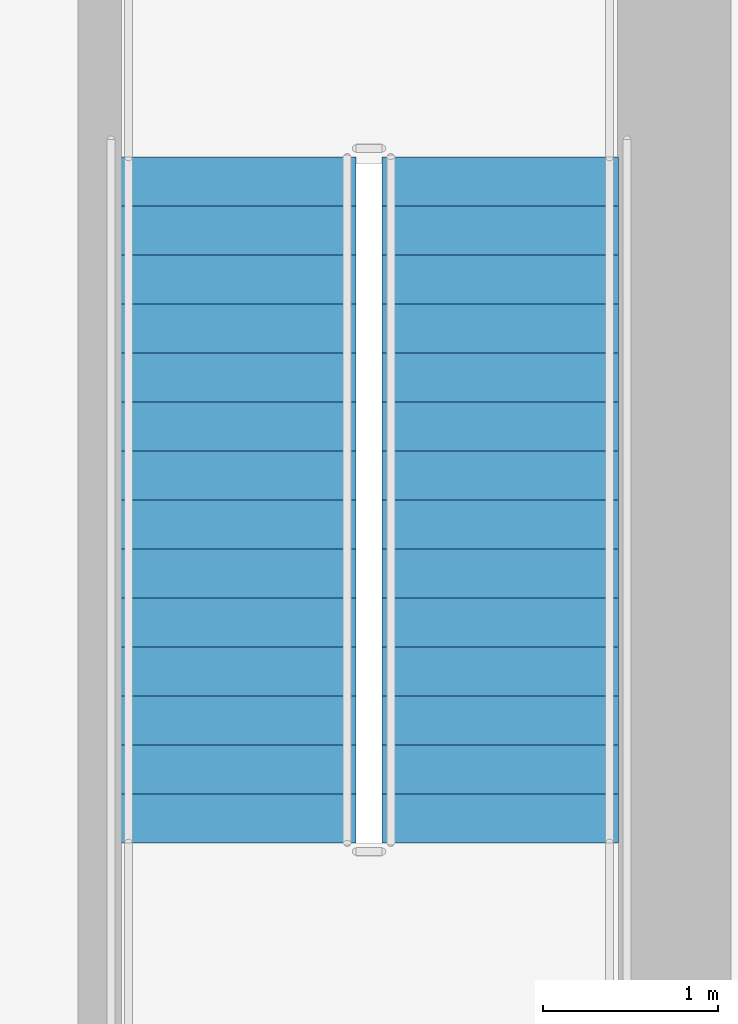
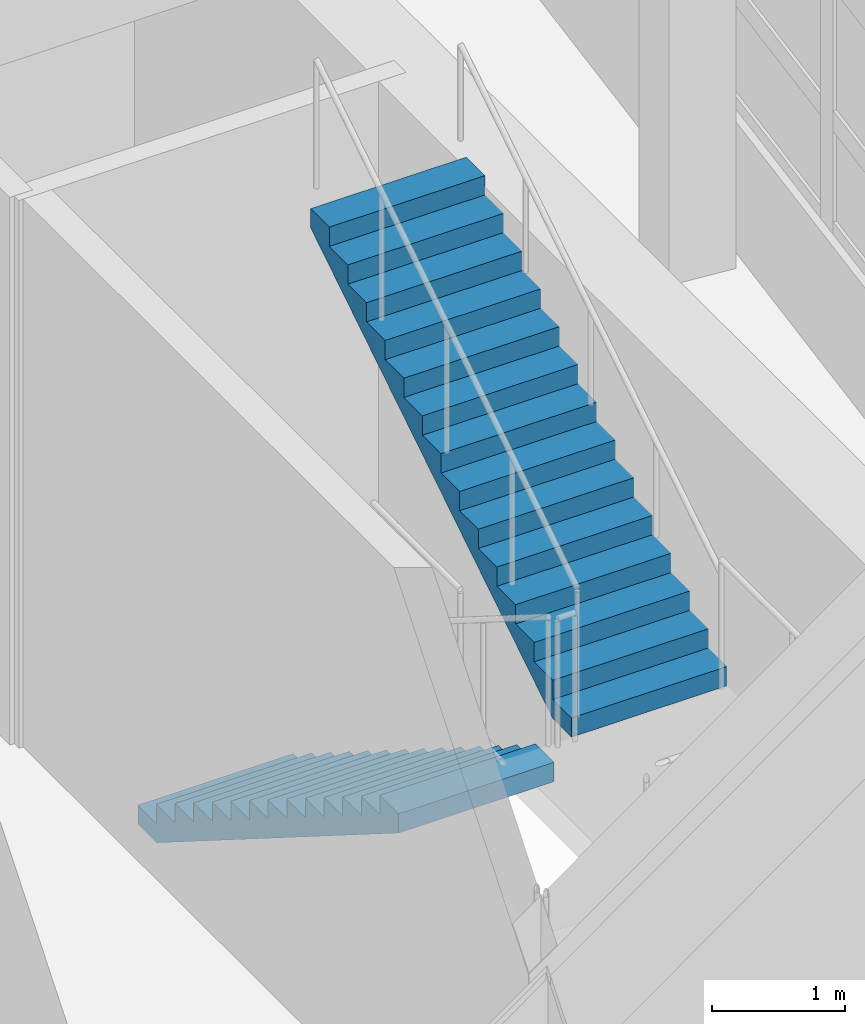
# One storey, part 21 of 23: 2 stair flights, 1 element without a shape of its own.
"""IFC4 building model written with IfcOpenShell, lengths in metres."""

from ifc_helpers import new_model, si_unit, direction, frame, origin, place, context, subcontext, project, spatial, polyline, outline, extrude, material, type_object, element, aggregate, save


model = new_model("IFC4")

# Units and contexts
model_context = context("Model", 3, precision=1e-05, world=origin(), true_north=direction((0.0, 1.0)))
body_context = subcontext(model_context, "Body", "Model", "MODEL_VIEW")
ifc_project = project(units=[si_unit("LENGTHUNIT", "METRE"), si_unit("AREAUNIT", "SQUARE_METRE"), si_unit("VOLUMEUNIT", "CUBIC_METRE"), si_unit("PLANEANGLEUNIT", "RADIAN"), si_unit("MASSUNIT", "GRAM", prefix="KILO")], contexts=[model_context])

# Site, building, storey
site_placement = place(None, origin())
site = spatial("IfcSite", under=ifc_project, at=site_placement, CompositionType="ELEMENT")
building_placement = place(site_placement, origin())
building = spatial("IfcBuilding", under=site, at=building_placement, Name="Voryun Gate Residences", CompositionType="ELEMENT")
storey_placement = place(building_placement, frame((0.0, 0.0, 321.300048828125)))
storey = spatial("IfcBuildingStorey", under=building, at=storey_placement, Name="L79", CompositionType="ELEMENT", Elevation=321.300048828125)

# Stair, stair flights
ifc_material_1 = material(Name="Concrete C40/50", Category="concrete")
stair_type = type_object("IfcStairType", Name="STR_CORE_DOGLEG_1350", PredefinedType="HALF_TURN_STAIR", material=ifc_material_1)
stair_placement = place(storey_placement, origin())
stair = element("IfcStair", 1, at=stair_placement, inside=storey, type_object=stair_type, Name="L79 Special Escape Stair ST-E1", PredefinedType="HALF_TURN_STAIR")
ifc_material_2 = material(Name="Concrete C40/50", Category="concrete")
stair_flight_type = type_object("IfcStairFlightType", Name="FLT_CORE_1350", PredefinedType="STRAIGHT", material=ifc_material_2)
stair_flight_1_placement = place(storey_placement, frame((16.64990234375, -0.800048828125, 0.0), z_axis=(0.0, 0.0, 1.0), x_axis=(0.0, -1.0, 0.0)))
stair_flight_1 = element("IfcStairFlight", 2, at=stair_flight_1_placement, type_object=stair_flight_type, Name="ST-E1 flight 1", NumberOfRisers=15, NumberOfTreads=14, PredefinedType="STRAIGHT", RiserHeight=0.176666667, TreadLength=0.28, context=body_context, shape_type="SweptSolid", body=[
    extrude(outline(polyline([(0.0, 0.0), (0.0, 0.1767578125), (0.280029296875, 0.1767578125), (0.280029296875, 0.353271484375), (0.56005859375, 0.353271484375), (0.56005859375, 0.530029296875), (0.840087890625, 0.530029296875), (0.840087890625, 0.706787109375), (1.1201171875, 0.706787109375), (1.1201171875, 0.88330078125), (1.39990234375, 0.88330078125), (1.39990234375, 1.06005859375), (1.679931640625, 1.06005859375), (1.679931640625, 1.236572265625), (1.9599609375, 1.236572265625), (1.9599609375, 1.413330078125), (2.239990234375, 1.413330078125), (2.239990234375, 1.590087890625), (2.52001953125, 1.590087890625), (2.52001953125, 1.7666015625), (2.800048828125, 1.7666015625), (2.800048828125, 1.943359375), (3.080078125, 1.943359375), (3.080078125, 2.1201171875), (3.360107421875, 2.1201171875), (3.360107421875, 2.296630859375), (3.639892578125, 2.296630859375), (3.639892578125, 2.473388671875), (3.919921875, 2.473388671875), (3.919921875, 2.64990234375), (3.919921875, 2.296142578125), (0.281005859375, 0.0), (0.0, 0.0)])), frame((0.0, 0.675048828125, 0.0), z_axis=(0.0, -1.0, 0.0), x_axis=(1.0, 0.0, 0.0)), (0.0, 0.0, 1.0), 1.35009765625),
])
stair_flight_2_placement = place(storey_placement, frame((18.14990234375, -4.719970703125, 2.64990234375), z_axis=(0.0, 0.0, 1.0), x_axis=(0.0, 1.0, 0.0)))
stair_flight_2 = element("IfcStairFlight", 3, at=stair_flight_2_placement, type_object=stair_flight_type, Name="ST-E1 flight 2", NumberOfRisers=15, NumberOfTreads=14, PredefinedType="STRAIGHT", RiserHeight=0.176666667, TreadLength=0.28, context=body_context, shape_type="SweptSolid", body=[
    extrude(outline(polyline([(0.0, 0.0), (0.0, 0.1767578125), (0.280029296875, 0.1767578125), (0.280029296875, 0.353271484375), (0.56005859375, 0.353271484375), (0.56005859375, 0.530029296875), (0.840087890625, 0.530029296875), (0.840087890625, 0.706787109375), (1.1201171875, 0.706787109375), (1.1201171875, 0.88330078125), (1.39990234375, 0.88330078125), (1.39990234375, 1.06005859375), (1.679931640625, 1.06005859375), (1.679931640625, 1.236572265625), (1.9599609375, 1.236572265625), (1.9599609375, 1.413330078125), (2.239990234375, 1.413330078125), (2.239990234375, 1.590087890625), (2.52001953125, 1.590087890625), (2.52001953125, 1.7666015625), (2.800048828125, 1.7666015625), (2.800048828125, 1.943359375), (3.080078125, 1.943359375), (3.080078125, 2.1201171875), (3.360107421875, 2.1201171875), (3.360107421875, 2.296630859375), (3.639892578125, 2.296630859375), (3.639892578125, 2.473388671875), (3.919921875, 2.473388671875), (3.919921875, 2.64990234375), (3.919921875, 2.296142578125), (0.281005859375, 0.0), (0.0, 0.0)])), frame((0.0, 0.675048828125, 0.0), z_axis=(0.0, -1.0, 0.0), x_axis=(1.0, 0.0, 0.0)), (0.0, 0.0, 1.0), 1.35009765625),
])
aggregate(stair, [stair_flight_1, stair_flight_2])

save(model, "model.ifc")
